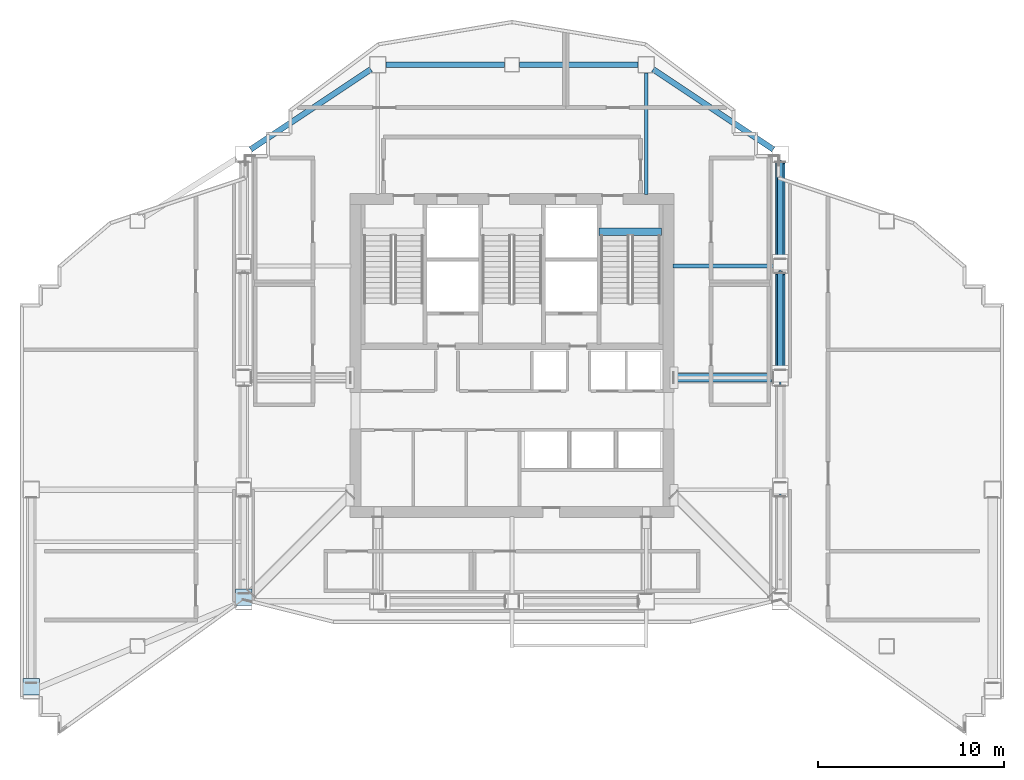
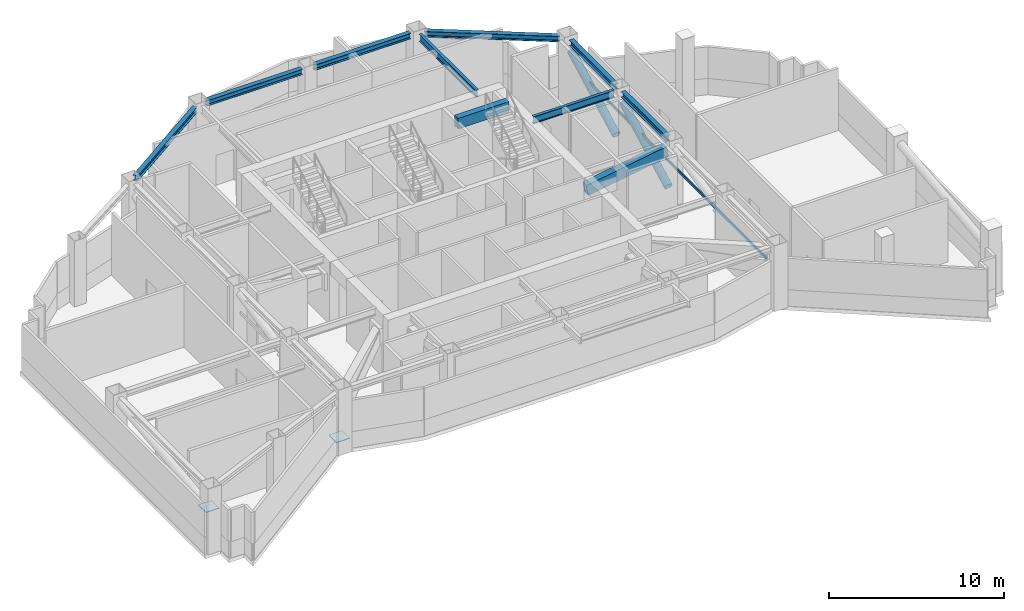
# One storey, part 2 of 19: 9 beams, 4 members, 2 plates.
"""IFC4 building model written with IfcOpenShell, lengths in metres."""

from ifc_helpers import new_model, si_unit, direction, frame, origin, origin_2d, place, context, subcontext, project, spatial, rectangle, hollow_rectangle, hollow_circle, i_section, extrude, material, layer, layer_set, material_profile, profile_set, type_object, element, save


model = new_model("IFC4")

# Units and contexts
model_context = context("Model", 3, precision=1e-05, world=origin(), true_north=direction((0.0, 1.0)))
body_context = subcontext(model_context, "Body", "Model", "MODEL_VIEW")
ifc_project = project(units=[si_unit("LENGTHUNIT", "METRE"), si_unit("AREAUNIT", "SQUARE_METRE"), si_unit("VOLUMEUNIT", "CUBIC_METRE"), si_unit("PLANEANGLEUNIT", "RADIAN"), si_unit("MASSUNIT", "GRAM", prefix="KILO")], contexts=[model_context])

# Site, building, storey
site_placement = place(None, origin())
site = spatial("IfcSite", under=ifc_project, at=site_placement, CompositionType="ELEMENT")
building_placement = place(site_placement, origin())
building = spatial("IfcBuilding", under=site, at=building_placement, Name="Haolan Belvedere Tower", CompositionType="ELEMENT")
storey_placement = place(building_placement, frame((0.0, 0.0, 230.60009765625)))
storey = spatial("IfcBuildingStorey", under=building, at=storey_placement, Name="L58", CompositionType="ELEMENT", Elevation=230.60009765625)

# Beams
ifc_material_1 = material(Name="Steel Q355B", Category="steel")
ifc_material_profile_1 = material_profile(ifc_material_1, i_section(OverallWidth=0.300048828125, OverallDepth=0.389892578125, WebThickness=0.010009765625, FlangeThickness=0.01611328125, FilletRadius=0.02197265625, at=origin_2d()), Name="Steel Q355B")
ifc_profile_set_1 = profile_set([ifc_material_profile_1], Name="Steel Q355B")
beam_type_1 = type_object("IfcBeamType", Name="BM-HM390x300x10x16", PredefinedType="SPANDREL", material=ifc_profile_set_1)
for number, where, z_axis, x_axis, name in (
    (1, (52.800048828125, 34.050048828125, 4.15478515625), (0.0, 1.0, 0.0), (-1.0, 0.0, 0.0), "L58 spandrel girder MC-T3-ME-TC-T3-E2"),
    (2, (52.800048828125, 40.0, 4.15478515625), (0.0, 1.0, 0.0), (-1.0, 0.0, 0.0), "L58 spandrel girder TC-T3-E2-MC-T3-NE"),
):
    element("IfcBeam", number, at=place(storey_placement, frame(where, z_axis=z_axis, x_axis=x_axis)), inside=storey, type_object=beam_type_1, Name=name, PredefinedType="SPANDREL", context=body_context, shape_type="SweptSolid", body=[
        extrude(i_section(OverallWidth=0.300048828125, OverallDepth=0.389892578125, WebThickness=0.010009765625, FlangeThickness=0.01611328125, FilletRadius=0.02197265625, at=origin_2d()), origin(), (0.0, 0.0, 1.0), 5.14990234375),
    ])
beam_1_placement = place(storey_placement, frame((24.37451171875, 45.849609375, 4.15478515625), z_axis=(0.832050294338, 0.554700196225, 0.0), x_axis=(-0.554700196225, 0.832050294338, 0.0)))
element("IfcBeam", 3, at=beam_1_placement, inside=storey, type_object=beam_type_1, Name="L58 spandrel girder MC-T3-NW-MC-T3-N1", PredefinedType="SPANDREL", context=body_context, shape_type="SweptSolid", body=[
    extrude(i_section(OverallWidth=0.300048828125, OverallDepth=0.389892578125, WebThickness=0.010009765625, FlangeThickness=0.01611328125, FilletRadius=0.02197265625, at=origin_2d()), origin(), (0.0, 0.0, 1.0), 7.75341796875),
])
beam_2_placement = place(storey_placement, frame((31.64990234375, 50.39990234375, 4.15478515625), z_axis=(1.0, 0.0, 0.0), x_axis=(0.0, 1.0, 0.0)))
element("IfcBeam", 4, at=beam_2_placement, inside=storey, type_object=beam_type_1, Name="L58 spandrel girder MC-T3-N1-TC-T3-NM", PredefinedType="SPANDREL", context=body_context, shape_type="SweptSolid", body=[
    extrude(i_section(OverallWidth=0.300048828125, OverallDepth=0.389892578125, WebThickness=0.010009765625, FlangeThickness=0.01611328125, FilletRadius=0.02197265625, at=origin_2d()), origin(), (0.0, 0.0, 1.0), 6.35009765625),
])
beam_3_placement = place(storey_placement, frame((38.800048828125, 50.39990234375, 4.15478515625), z_axis=(1.0, 0.0, 0.0), x_axis=(0.0, 1.0, 0.0)))
element("IfcBeam", 5, at=beam_3_placement, inside=storey, type_object=beam_type_1, Name="L58 spandrel girder TC-T3-NM-MC-T3-N2", PredefinedType="SPANDREL", context=body_context, shape_type="SweptSolid", body=[
    extrude(i_section(OverallWidth=0.300048828125, OverallDepth=0.389892578125, WebThickness=0.010009765625, FlangeThickness=0.01611328125, FilletRadius=0.02197265625, at=origin_2d()), origin(), (0.0, 0.0, 1.0), 6.349853515625),
])
beam_4_placement = place(storey_placement, frame((45.974365234375, 50.150390625, 4.15478515625), z_axis=(0.832050294338, -0.554700196225, 0.0), x_axis=(0.554700196225, 0.832050294338, 0.0)))
element("IfcBeam", 6, at=beam_4_placement, inside=storey, type_object=beam_type_1, Name="L58 spandrel girder MC-T3-N2-MC-T3-NE", PredefinedType="SPANDREL", context=body_context, shape_type="SweptSolid", body=[
    extrude(i_section(OverallWidth=0.300048828125, OverallDepth=0.389892578125, WebThickness=0.010009765625, FlangeThickness=0.01611328125, FilletRadius=0.02197265625, at=origin_2d()), origin(), (0.0, 0.0, 1.0), 7.75341796875),
])
ifc_material_profile_2 = material_profile(ifc_material_1, i_section(OverallWidth=0.199951171875, OverallDepth=0.5, WebThickness=0.010009765625, FlangeThickness=0.01611328125, FilletRadius=0.02001953125, at=origin_2d()), Name="Steel Q355B")
ifc_profile_set_2 = profile_set([ifc_material_profile_2], Name="Steel Q355B")
beam_type_2 = type_object("IfcBeamType", Name="BM-HN500x200x10x16", PredefinedType="BEAM", material=ifc_profile_set_2)
beam_5_placement = place(storey_placement, frame((52.39990234375, 39.60009765625, 4.099853515625), z_axis=(-1.0, 0.0, 0.0), x_axis=(0.0, -1.0, 0.0)))
element("IfcBeam", 7, at=beam_5_placement, inside=storey, type_object=beam_type_2, Name="L58 core tie beam from TC-T3-E2", PredefinedType="BEAM", context=body_context, shape_type="SweptSolid", body=[
    extrude(i_section(OverallWidth=0.199951171875, OverallDepth=0.5, WebThickness=0.010009765625, FlangeThickness=0.01611328125, FilletRadius=0.02001953125, at=origin_2d()), origin(), (0.0, 0.0, 1.0), 5.349853515625),
])
beam_6_placement = place(storey_placement, frame((45.60009765625, 49.949951171875, 4.099853515625), z_axis=(0.0, -1.0, 0.0), x_axis=(1.0, 0.0, 0.0)))
element("IfcBeam", 8, at=beam_6_placement, inside=storey, type_object=beam_type_2, Name="L58 core tie beam from MC-T3-N2", PredefinedType="BEAM", context=body_context, shape_type="SweptSolid", body=[
    extrude(i_section(OverallWidth=0.199951171875, OverallDepth=0.5, WebThickness=0.010009765625, FlangeThickness=0.01611328125, FilletRadius=0.02001953125, at=origin_2d()), origin(), (0.0, 0.0, 1.0), 6.5),
])
ifc_material_2 = material(Name="Concrete C50/60", Category="concrete")
ifc_material_profile_3 = material_profile(ifc_material_2, rectangle(XDim=0.39990234375, YDim=0.75, at=origin_2d()), Name="Concrete C50/60")
ifc_profile_set_3 = profile_set([ifc_material_profile_3], Name="Concrete C50/60")
beam_type_3 = type_object("IfcBeamType", Name="BM-RC400x750", PredefinedType="T_BEAM", material=ifc_profile_set_3)
beam_7_placement = place(storey_placement, frame((43.06005859375, 41.429931640625, 4.224853515625), z_axis=(1.0, 0.0, 0.0), x_axis=(0.0, 1.0, 0.0)))
element("IfcBeam", 9, at=beam_7_placement, inside=storey, type_object=beam_type_3, Name="L59 stair ST2 RC header trimmer beam", PredefinedType="BEAM", context=body_context, shape_type="SweptSolid", body=[
    extrude(rectangle(XDim=0.39990234375, YDim=0.75, at=origin_2d()), origin(), (0.0, 0.0, 1.0), 3.35986328125),
])

# Members
ifc_material_3 = material(Name="Steel Q390GJC", Category="steel")
ifc_material_profile_4 = material_profile(ifc_material_3, hollow_rectangle(XDim=0.449951171875, YDim=0.75, WallThickness=0.028076171875, at=origin_2d()), Name="Steel Q390GJC")
ifc_profile_set_4 = profile_set([ifc_material_profile_4], Name="Steel Q390GJC")
member_type_1 = type_object("IfcMemberType", Name="MEM-BOX750x450x28", PredefinedType="BRACE", material=ifc_profile_set_4)
member_1_placement = place(storey_placement, frame((47.070068359375, 33.60009765625, 2.919921875), z_axis=(0.986845115572, 0.0, 0.161668543233), x_axis=(0.0, 1.0, 0.0)))
element("IfcMember", 10, at=member_1_placement, inside=storey, type_object=member_type_1, Name="L58 core outrigger brace OR-E1", PredefinedType="BRACE", context=body_context, shape_type="SweptSolid", body=[
    extrude(hollow_rectangle(XDim=0.449951171875, YDim=0.75, WallThickness=0.028076171875, at=origin_2d()), origin(), (0.0, 0.0, 1.0), 5.380615234375),
])
ifc_material_profile_5 = material_profile(ifc_material_3, hollow_circle(Radius=0.25390625, WallThickness=0.02001953125, at=origin_2d()), Name="Steel Q390GJC")
ifc_profile_set_5 = profile_set([ifc_material_profile_5], Name="Steel Q390GJC")
member_type_2 = type_object("IfcMemberType", Name="MEM-CHS508x20", PredefinedType="BRACE", material=ifc_profile_set_5)
for number, where, z_axis, x_axis, name in (
    (11, (52.800048828125, 34.0400390625, 0.7998046875), (0.0, 0.882869446911, 0.469618504439), (-1.0, 0.0, 0.0), "L58 belt truss diagonal BT-E3"),
    (12, (52.800048828125, 39.989990234375, 0.7998046875), (0.0, 0.882869446911, 0.469618504439), (-1.0, 0.0, 0.0), "L58 belt truss diagonal BT-E4"),
):
    element("IfcMember", number, at=place(storey_placement, frame(where, z_axis=z_axis, x_axis=x_axis)), inside=storey, type_object=member_type_2, Name=name, PredefinedType="BRACE", context=body_context, shape_type="SweptSolid", body=[
        extrude(hollow_circle(Radius=0.25390625, WallThickness=0.02001953125, at=origin_2d()), origin(), (0.0, 0.0, 1.0), 5.855712890625),
    ])
ifc_material_profile_6 = material_profile(ifc_material_1, hollow_rectangle(XDim=0.080078125, YDim=0.179931640625, WallThickness=0.006103515625, at=origin_2d()), Name="Steel Q355B")
ifc_profile_set_6 = profile_set([ifc_material_profile_6], Name="Steel Q355B")
member_type_3 = type_object("IfcMemberType", Name="MEM-RHS180x80x6", PredefinedType="CHORD", material=ifc_profile_set_6)
member_2_placement = place(storey_placement, frame((52.800048828125, 22.800048828125, 2.599853515625), z_axis=(0.0, 1.0, 0.0), x_axis=(-1.0, 0.0, 0.0)))
element("IfcMember", 13, at=member_2_placement, inside=storey, type_object=member_type_3, Name="L58 refuge louvre structural girt chord GE", PredefinedType="STRUT", context=body_context, shape_type="SweptSolid", body=[
    extrude(hollow_rectangle(XDim=0.080078125, YDim=0.179931640625, WallThickness=0.006103515625, at=origin_2d()), origin(), (0.0, 0.0, 1.0), 21.599853515625),
])

# Plates
ifc_layer = layer(ifc_material_3, 0.035888671875, Name="Steel Q390GJC")
ifc_layer_set = layer_set([ifc_layer], Name="Steel Q390GJC")
plate_type = type_object("IfcPlateType", Name="PL-NODE-NP03", PredefinedType="USERDEFINED", material=ifc_layer_set)
for number, where, z_axis, x_axis, name in (
    (14, (24.0, 21.820068359375, 0.78173828125), (0.0, 0.0, 1.0), (1.0, 0.0, 0.0), "NP-03 belt truss node plate L58 BT-W1"),
    (15, (12.60009765625, 17.02001953125, 2.8017578125), (0.0, 0.0, 1.0), (1.0, 0.0, 0.0), "NP-03 belt truss node plate L58 BT-T2"),
):
    element("IfcPlate", number, at=place(storey_placement, frame(where, z_axis=z_axis, x_axis=x_axis)), inside=storey, type_object=plate_type, Name=name, ObjectType="GUSSET", PredefinedType="USERDEFINED", context=body_context, shape_type="SweptSolid", body=[
        extrude(rectangle(XDim=0.889892578125, YDim=0.889892578125, at=origin_2d()), origin(), (0.0, 0.0, 1.0), 0.035888671875),
    ])

save(model, "model.ifc")
